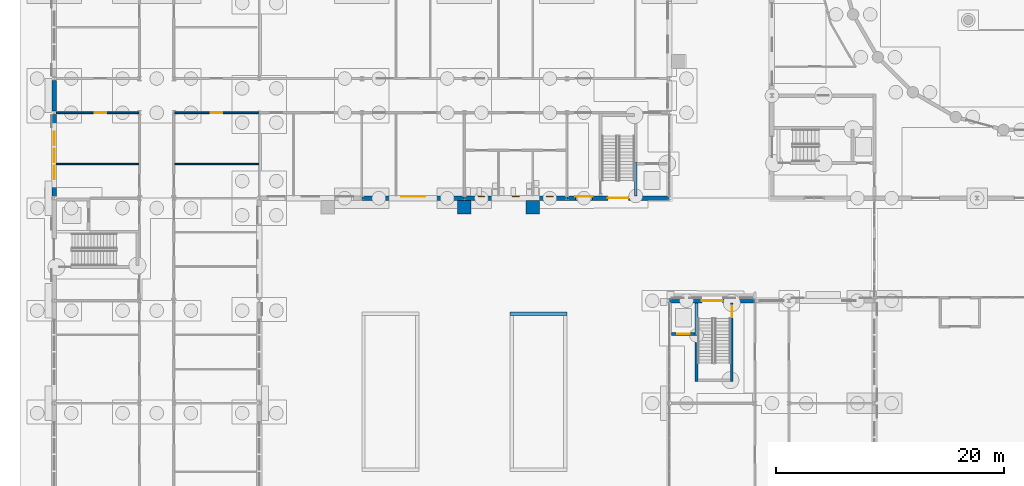
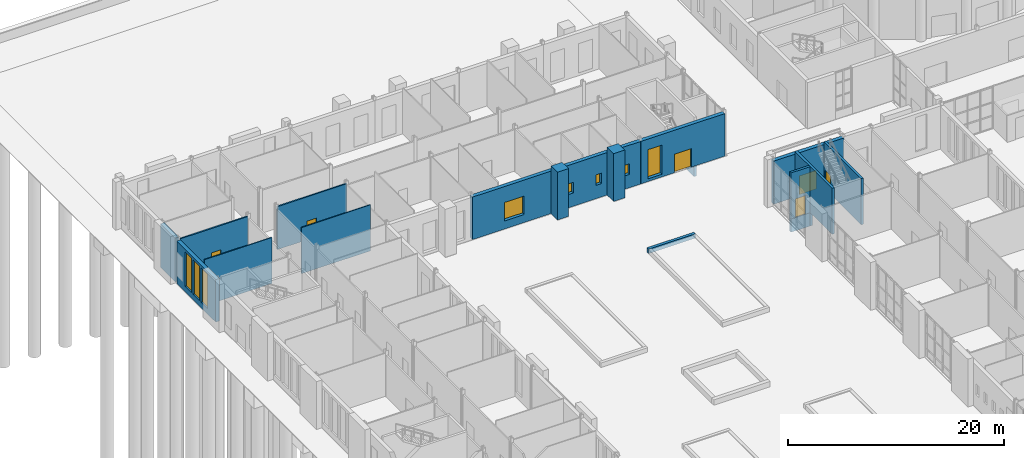
# One storey, part 93 of 168: 19 walls, 8 windows, 6 doors, 14 openings.
"""IFC4 building model written with IfcOpenShell, lengths in metres."""

from ifc_helpers import new_model, si_unit, direction, frame, frame_2d, origin, place, context, subcontext, project, spatial, rectangle, extrude, material, layer, layer_set, type_object, element, fill, save


model = new_model("IFC4")

# Units and contexts
model_context = context("Model", 3, precision=1e-05, world=origin(), true_north=direction((0.0, 1.0)))
body_context = subcontext(model_context, "Body", "Model", "MODEL_VIEW")
ifc_project = project(units=[si_unit("LENGTHUNIT", "METRE"), si_unit("AREAUNIT", "SQUARE_METRE"), si_unit("VOLUMEUNIT", "CUBIC_METRE"), si_unit("PLANEANGLEUNIT", "RADIAN"), si_unit("MASSUNIT", "GRAM", prefix="KILO")], contexts=[model_context])

# Site, building, storey
site_placement = place(None, origin())
site = spatial("IfcSite", under=ifc_project, at=site_placement, CompositionType="ELEMENT")
building_placement = place(site_placement, origin())
building = spatial("IfcBuilding", under=site, at=building_placement, Name="Golden Quay Civic Hall", CompositionType="ELEMENT")
storey_placement = place(building_placement, origin())
storey = spatial("IfcBuildingStorey", under=building, at=storey_placement, Name="L00", CompositionType="ELEMENT", Elevation=0.0)

# Wall, opening, window
ifc_material_1 = material(Name="Brick, dark clay facing", Category="masonry")
ifc_layer_1 = layer(ifc_material_1, 0.39990234375)
ifc_layer_set_1 = layer_set([ifc_layer_1], Name="Brick external wall 400")
wall_type_1 = type_object("IfcWallType", Name="Brick external wall 400", PredefinedType="STANDARD", material=ifc_layer_set_1)
wall_1_placement = place(storey_placement, frame((35.989501953125, 63.0, 0.0), z_axis=(0.0, 0.0, 1.0), x_axis=(-1.0, 0.0, 0.0)))
wall_1 = element("IfcWall", 1, at=wall_1_placement, inside=storey, type_object=wall_type_1, Name="Brick external wall 400 L00 9", PredefinedType="STANDARD", context=body_context, shape_type="SweptSolid", body=[
    extrude(rectangle(XDim=8.97900390625, YDim=0.39990234375, at=frame_2d((4.489501953125, 0.0))), origin(), (0.0, 0.0, 1.0), 4.800048828125),
])
opening_1_placement = place(wall_1_placement, frame((3.439453125, 0.0, 0.89990234375)))
opening_1 = element("IfcOpeningElement", 2, at=opening_1_placement, cuts=wall_1, Name="Opening WN2", PredefinedType="OPENING", context=body_context, shape_type="SweptSolid", body=[
    extrude(rectangle(XDim=2.10009765625, YDim=2.10009765625, at=frame_2d((1.050048828125, 1.050048828125))), frame((0.0, 0.2099609375, 0.0), z_axis=(0.0, -1.0, 0.0), x_axis=(1.0, 0.0, 0.0)), (0.0, 0.0, 1.0), 0.419921875),
])
ifc_material_2 = material(Name="Aluminium frame, double glazed", Category="aluminium")
window_type_1 = type_object("IfcWindowType", Name="Corridor end window 2100 x 2100", PartitioningType="SINGLE_PANEL", PredefinedType="WINDOW", material=ifc_material_2)
window_1_placement = place(opening_1_placement, origin())
window_1 = element("IfcWindow", 3, at=window_1_placement, inside=storey, type_object=window_type_1, Name="Corridor end window 2100 x 2100 L00 5", OverallHeight=2.10009765625, OverallWidth=2.10009765625, PartitioningType="SINGLE_PANEL", PredefinedType="WINDOW", context=body_context, shape_type="SweptSolid", body=[
    extrude(rectangle(XDim=2.10009765625, YDim=2.10009765625, at=frame_2d((1.050048828125, 1.050048828125))), frame((0.0, -0.119873046875, 0.0), z_axis=(0.0, -1.0, 0.0), x_axis=(1.0, 0.0, 0.0)), (0.0, 0.0, 1.0), 0.06005859375),
])
fill(opening_1, window_1)

# Wall, openings, windows
wall_2_placement = place(storey_placement, frame((44.989501953125, 63.0, 0.0), z_axis=(0.0, 0.0, 1.0), x_axis=(-1.0, 0.0, 0.0)))
wall_2 = element("IfcWall", 4, at=wall_2_placement, inside=storey, type_object=wall_type_1, Name="Brick external wall 400 L00 10", PredefinedType="STANDARD", context=body_context, shape_type="SweptSolid", body=[
    extrude(rectangle(XDim=8.97900390625, YDim=0.39990234375, at=frame_2d((4.489501953125, 0.0))), origin(), (0.0, 0.0, 1.0), 4.800048828125),
])
opening_2_placement = place(wall_2_placement, frame((7.189453125, 0.0, 1.5)))
opening_2 = element("IfcOpeningElement", 5, at=opening_2_placement, cuts=wall_2, Name="Opening WN1", PredefinedType="OPENING", context=body_context, shape_type="SweptSolid", body=[
    extrude(rectangle(XDim=0.60009765625, YDim=1.199951171875, at=frame_2d((0.300048828125, 0.60009765625))), frame((0.0, 0.2099609375, 0.0), z_axis=(0.0, -1.0, 0.0), x_axis=(1.0, 0.0, 0.0)), (0.0, 0.0, 1.0), 0.419921875),
])
opening_3_placement = place(wall_2_placement, frame((4.189453125, 0.0, 1.5)))
opening_3 = element("IfcOpeningElement", 6, at=opening_3_placement, cuts=wall_2, Name="Opening WN1", PredefinedType="OPENING", context=body_context, shape_type="SweptSolid", body=[
    extrude(rectangle(XDim=0.60009765625, YDim=1.199951171875, at=frame_2d((0.300048828125, 0.60009765625))), frame((0.0, 0.2099609375, 0.0), z_axis=(0.0, -1.0, 0.0), x_axis=(1.0, 0.0, 0.0)), (0.0, 0.0, 1.0), 0.419921875),
])
opening_4_placement = place(wall_2_placement, frame((1.189453125, 0.0, 1.5)))
opening_4 = element("IfcOpeningElement", 7, at=opening_4_placement, cuts=wall_2, Name="Opening WN1", PredefinedType="OPENING", context=body_context, shape_type="SweptSolid", body=[
    extrude(rectangle(XDim=0.60009765625, YDim=1.199951171875, at=frame_2d((0.300048828125, 0.60009765625))), frame((0.0, 0.2099609375, 0.0), z_axis=(0.0, -1.0, 0.0), x_axis=(1.0, 0.0, 0.0)), (0.0, 0.0, 1.0), 0.419921875),
])
ifc_material_3 = material(Name="Aluminium frame, double glazed", Category="aluminium")
window_type_2 = type_object("IfcWindowType", Name="WC window 600 x 1200", PartitioningType="SINGLE_PANEL", PredefinedType="WINDOW", material=ifc_material_3)
window_2_placement = place(opening_2_placement, origin())
window_2 = element("IfcWindow", 8, at=window_2_placement, inside=storey, type_object=window_type_2, Name="WC window 600 x 1200 L00 5", OverallHeight=1.199951171875, OverallWidth=0.60009765625, PartitioningType="SINGLE_PANEL", PredefinedType="WINDOW", context=body_context, shape_type="SweptSolid", body=[
    extrude(rectangle(XDim=0.60009765625, YDim=1.199951171875, at=frame_2d((0.300048828125, 0.60009765625))), frame((0.0, -0.119873046875, 0.0), z_axis=(0.0, -1.0, 0.0), x_axis=(1.0, 0.0, 0.0)), (0.0, 0.0, 1.0), 0.06005859375),
])
fill(opening_2, window_2)
window_3_placement = place(opening_3_placement, origin())
window_3 = element("IfcWindow", 9, at=window_3_placement, inside=storey, type_object=window_type_2, Name="WC window 600 x 1200 L00 6", OverallHeight=1.199951171875, OverallWidth=0.60009765625, PartitioningType="SINGLE_PANEL", PredefinedType="WINDOW", context=body_context, shape_type="SweptSolid", body=[
    extrude(rectangle(XDim=0.60009765625, YDim=1.199951171875, at=frame_2d((0.300048828125, 0.60009765625))), frame((0.0, -0.119873046875, 0.0), z_axis=(0.0, -1.0, 0.0), x_axis=(1.0, 0.0, 0.0)), (0.0, 0.0, 1.0), 0.06005859375),
])
fill(opening_3, window_3)
window_4_placement = place(opening_4_placement, origin())
window_4 = element("IfcWindow", 10, at=window_4_placement, inside=storey, type_object=window_type_2, Name="WC window 600 x 1200 L00 7", OverallHeight=1.199951171875, OverallWidth=0.60009765625, PartitioningType="SINGLE_PANEL", PredefinedType="WINDOW", context=body_context, shape_type="SweptSolid", body=[
    extrude(rectangle(XDim=0.60009765625, YDim=1.199951171875, at=frame_2d((0.300048828125, 0.60009765625))), frame((0.0, -0.119873046875, 0.0), z_axis=(0.0, -1.0, 0.0), x_axis=(1.0, 0.0, 0.0)), (0.0, 0.0, 1.0), 0.06005859375),
])
fill(opening_4, window_4)

# Wall, openings, door, window
ifc_material_4 = material(Name="Brick, dark clay facing", Category="masonry")
ifc_layer_2 = layer(ifc_material_4, 0.39990234375)
ifc_layer_set_2 = layer_set([ifc_layer_2], Name="Brick external wall 400 fire EI 60")
wall_type_2 = type_object("IfcWallType", Name="Brick external wall 400 fire EI 60", PredefinedType="STANDARD", material=ifc_layer_set_2)
wall_3_placement = place(storey_placement, frame((53.989501953125, 63.0, 0.0), z_axis=(0.0, 0.0, 1.0), x_axis=(-1.0, 0.0, 0.0)))
wall_3 = element("IfcWall", 11, at=wall_3_placement, inside=storey, type_object=wall_type_2, Name="Brick external wall 400 fire EI 60 L00 1", PredefinedType="STANDARD", context=body_context, shape_type="SweptSolid", body=[
    extrude(rectangle(XDim=8.97900390625, YDim=0.39990234375, at=frame_2d((4.489501953125, 0.0))), origin(), (0.0, 0.0, 1.0), 4.800048828125),
])
opening_5_placement = place(wall_3_placement, frame((3.589599609375, 0.0, 0.0)))
opening_5 = element("IfcOpeningElement", 12, at=opening_5_placement, cuts=wall_3, Name="Opening L00-D006", PredefinedType="OPENING", context=body_context, shape_type="SweptSolid", body=[
    extrude(rectangle(XDim=1.800048828125, YDim=2.10009765625, at=frame_2d((0.89990234375, 1.050048828125))), frame((0.0, 0.2099609375, 0.0), z_axis=(0.0, -1.0, 0.0), x_axis=(1.0, 0.0, 0.0)), (0.0, 0.0, 1.0), 0.419921875),
])
opening_6_placement = place(wall_3_placement, frame((6.739501953125, 0.0, 0.300048828125)))
opening_6 = element("IfcOpeningElement", 13, at=opening_6_placement, cuts=wall_3, Name="Opening WN4", PredefinedType="OPENING", context=body_context, shape_type="SweptSolid", body=[
    extrude(rectangle(XDim=1.5, YDim=3.300048828125, at=frame_2d((0.75, 1.64990234375))), frame((0.0, 0.2099609375, 0.0), z_axis=(0.0, -1.0, 0.0), x_axis=(1.0, 0.0, 0.0)), (0.0, 0.0, 1.0), 0.419921875),
])
ifc_material_5 = material(Name="Steel", Category="steel")
door_type_1 = type_object("IfcDoorType", Name="Steel double exit door FD60 1800 x 2100", OperationType="DOUBLE_DOOR_SINGLE_SWING", PredefinedType="DOOR", material=ifc_material_5)
door_1_placement = place(opening_5_placement, origin())
door_1 = element("IfcDoor", 14, at=door_1_placement, inside=storey, type_object=door_type_1, Name="Door L00-D006", OperationType="DOUBLE_DOOR_SINGLE_SWING", OverallHeight=2.10009765625, OverallWidth=1.800048828125, PredefinedType="DOOR", context=body_context, shape_type="SweptSolid", body=[
    extrude(rectangle(XDim=1.800048828125, YDim=2.10009765625, at=frame_2d((0.89990234375, 1.050048828125))), frame((0.0, 0.02490234375, 0.0), z_axis=(0.0, -1.0, 0.0), x_axis=(1.0, 0.0, 0.0)), (0.0, 0.0, 1.0), 0.050048828125),
])
fill(opening_5, door_1)
ifc_material_6 = material(Name="Aluminium frame, double glazed", Category="aluminium")
window_type_3 = type_object("IfcWindowType", Name="Tall ground-floor window 1500 x 3300", PartitioningType="SINGLE_PANEL", PredefinedType="WINDOW", material=ifc_material_6)
window_5_placement = place(opening_6_placement, origin())
window_5 = element("IfcWindow", 15, at=window_5_placement, inside=storey, type_object=window_type_3, Name="Tall ground-floor window 1500 x 3300 L00 18", OverallHeight=3.300048828125, OverallWidth=1.5, PartitioningType="SINGLE_PANEL", PredefinedType="WINDOW", context=body_context, shape_type="SweptSolid", body=[
    extrude(rectangle(XDim=1.5, YDim=3.300048828125, at=frame_2d((0.75, 1.64990234375))), frame((0.0, -0.119873046875, 0.0), z_axis=(0.0, -1.0, 0.0), x_axis=(1.0, 0.0, 0.0)), (0.0, 0.0, 1.0), 0.06005859375),
])
fill(opening_6, window_5)

# Walls
ifc_material_7 = material(Name="Brick, dark clay facing", Category="masonry")
ifc_layer_3 = layer(ifc_material_7, 1.199951171875)
ifc_layer_set_3 = layer_set([ifc_layer_3], Name="Brick pilaster 1200 x 1200")
wall_type_3 = type_object("IfcWallType", Name="Brick pilaster 1200 x 1200", PredefinedType="STANDARD", material=ifc_layer_set_3)
for number, where, z_axis, x_axis, name in (
    (16, (35.39990234375, 62.199951171875, 0.0), (0.0, 0.0, 1.0), (1.0, 0.0, 0.0), "Brick pilaster 1200 x 1200 L00 7"),
    (17, (41.39990234375, 62.199951171875, 0.0), (0.0, 0.0, 1.0), (1.0, 0.0, 0.0), "Brick pilaster 1200 x 1200 L00 8"),
):
    element("IfcWall", number, at=place(storey_placement, frame(where, z_axis=z_axis, x_axis=x_axis)), inside=storey, type_object=wall_type_3, Name=name, PredefinedType="STANDARD", context=body_context, shape_type="SweptSolid", body=[
        extrude(rectangle(XDim=1.2001953125, YDim=1.199951171875, at=frame_2d((0.60009765625, 0.0))), origin(), (0.0, 0.0, 1.0), 5.39990234375),
    ])
ifc_material_8 = material(Name="Brick, dark clay facing", Category="masonry")
ifc_layer_4 = layer(ifc_material_8, 0.300048828125)
ifc_layer_set_4 = layer_set([ifc_layer_4], Name="Brick planter wall 300")
wall_type_4 = type_object("IfcWallType", Name="Brick planter wall 300", PredefinedType="STANDARD", material=ifc_layer_set_4)
wall_4_placement = place(storey_placement, frame((40.0, 52.85009765625, 0.0), z_axis=(0.0, 0.0, 1.0), x_axis=(1.0, 0.0, 0.0)))
element("IfcWall", 18, at=wall_4_placement, inside=storey, type_object=wall_type_4, Name="Court planter West Court 4", PredefinedType="STANDARD", context=body_context, shape_type="SweptSolid", body=[
    extrude(rectangle(XDim=5.0, YDim=0.300048828125, at=frame_2d((2.5, 0.0))), origin(), (0.0, 0.0, 1.0), 0.5),
])
ifc_material_9 = material(Name="Concrete C40/50", Category="concrete")
ifc_layer_5 = layer(ifc_material_9, 0.25)
ifc_layer_set_5 = layer_set([ifc_layer_5], Name="Concrete core wall 250, Concrete C40/50")
wall_type_5 = type_object("IfcWallType", Name="Concrete core wall 250", PredefinedType="SHEAR", material=ifc_layer_set_5)
wall_5_placement = place(storey_placement, frame((51.050048828125, 63.199951171875, -1.5), z_axis=(0.0, 0.0, 1.0), x_axis=(0.0, 1.0, 0.0)))
element("IfcWall", 19, at=wall_5_placement, inside=storey, type_object=wall_type_5, Name="Lift pit wall P1", PredefinedType="SHEAR", context=body_context, shape_type="SweptSolid", body=[
    extrude(rectangle(XDim=2.949951171875, YDim=0.25, at=frame_2d((1.47509765625, 0.0))), origin(), (0.0, 0.0, 1.0), 1.5),
])
wall_6_placement = place(storey_placement, frame((56.375, 46.89990234375, 0.0), z_axis=(0.0, 0.0, 1.0), x_axis=(0.0, 1.0, 0.0)))
element("IfcWall", 20, at=wall_6_placement, inside=storey, type_object=wall_type_5, Name="Core wall WM-N-W1", PredefinedType="SHEAR", context=body_context, shape_type="SweptSolid", body=[
    extrude(rectangle(XDim=6.900146484375, YDim=0.25, at=frame_2d((3.4501953125, 0.0))), origin(), (0.0, 0.0, 1.0), 5.199951171875),
])

# Wall, opening, door
wall_7_placement = place(storey_placement, frame((59.47509765625, 46.89990234375, 0.0), z_axis=(0.0, 0.0, 1.0), x_axis=(0.0, 1.0, 0.0)))
wall_7 = element("IfcWall", 21, at=wall_7_placement, inside=storey, type_object=wall_type_5, Name="Core wall WM-N-W2", PredefinedType="SHEAR", context=body_context, shape_type="SweptSolid", body=[
    extrude(rectangle(XDim=6.900146484375, YDim=0.25, at=frame_2d((3.4501953125, 0.0))), origin(), (0.0, 0.0, 1.0), 5.199951171875),
])
opening_7_placement = place(wall_7_placement, frame((5.64990234375, 0.0, 0.0)))
opening_7 = element("IfcOpeningElement", 22, at=opening_7_placement, cuts=wall_7, Name="Opening L00-D123", PredefinedType="OPENING", context=body_context, shape_type="SweptSolid", body=[
    extrude(rectangle(XDim=1.0, YDim=2.10009765625, at=frame_2d((0.5, 1.050048828125))), frame((0.0, 0.135009765625, 0.0), z_axis=(0.0, -1.0, 0.0), x_axis=(1.0, 0.0, 0.0)), (0.0, 0.0, 1.0), 0.27001953125),
])
ifc_material_10 = material(Name="Steel", Category="steel")
door_type_2 = type_object("IfcDoorType", Name="Steel fire door FD60 1000 x 2100", OperationType="SINGLE_SWING_LEFT", PredefinedType="DOOR", material=ifc_material_10)
door_2_placement = place(opening_7_placement, origin())
door_2 = element("IfcDoor", 23, at=door_2_placement, inside=storey, type_object=door_type_2, Name="Door L00-D123", OperationType="SINGLE_SWING_LEFT", OverallHeight=2.10009765625, OverallWidth=1.0, PredefinedType="DOOR", context=body_context, shape_type="SweptSolid", body=[
    extrude(rectangle(XDim=1.0, YDim=2.10009765625, at=frame_2d((0.5, 1.050048828125))), frame((0.0, 0.02490234375, 0.0), z_axis=(0.0, -1.0, 0.0), x_axis=(1.0, 0.0, 0.0)), (0.0, 0.0, 1.0), 0.050048828125),
])
fill(opening_7, door_2)

wall_8_placement = place(storey_placement, frame((54.199951171875, 51.074951171875, 0.0), z_axis=(0.0, 0.0, 1.0), x_axis=(1.0, 0.0, 0.0)))
wall_8 = element("IfcWall", 24, at=wall_8_placement, inside=storey, type_object=wall_type_5, Name="Core wall WM-N-W4", PredefinedType="SHEAR", context=body_context, shape_type="SweptSolid", body=[
    extrude(rectangle(XDim=2.050048828125, YDim=0.25, at=frame_2d((1.02490234375, 0.0))), origin(), (0.0, 0.0, 1.0), 5.199951171875),
])
opening_8_placement = place(wall_8_placement, frame((0.47509765625, 0.0, 0.0)))
opening_8 = element("IfcOpeningElement", 25, at=opening_8_placement, cuts=wall_8, Name="Opening L00-D126", PredefinedType="OPENING", context=body_context, shape_type="SweptSolid", body=[
    extrude(rectangle(XDim=1.10009765625, YDim=2.10009765625, at=frame_2d((0.550048828125, 1.050048828125))), frame((0.0, 0.135009765625, 0.0), z_axis=(0.0, -1.0, 0.0), x_axis=(1.0, 0.0, 0.0)), (0.0, 0.0, 1.0), 0.27001953125),
])
ifc_material_11 = material(Name="Steel", Category="steel")
door_type_3 = type_object("IfcDoorType", Name="Lift landing door 1100 x 2100", OperationType="SLIDING_TO_LEFT", PredefinedType="DOOR", material=ifc_material_11)
door_3_placement = place(opening_8_placement, origin())
door_3 = element("IfcDoor", 26, at=door_3_placement, inside=storey, type_object=door_type_3, Name="Lift landing door L00-D126 WM-N", OperationType="SLIDING_TO_LEFT", OverallHeight=2.10009765625, OverallWidth=1.10009765625, PredefinedType="DOOR", context=body_context, shape_type="SweptSolid", body=[
    extrude(rectangle(XDim=1.10009765625, YDim=2.10009765625, at=frame_2d((0.550048828125, 1.050048828125))), frame((0.0, 0.02490234375, 0.0), z_axis=(0.0, -1.0, 0.0), x_axis=(1.0, 0.0, 0.0)), (0.0, 0.0, 1.0), 0.050048828125),
])
fill(opening_8, door_3)

# Walls
wall_9_placement = place(storey_placement, frame((56.375, 50.949951171875, -1.5), z_axis=(0.0, 0.0, 1.0), x_axis=(0.0, 1.0, 0.0)))
element("IfcWall", 27, at=wall_9_placement, inside=storey, type_object=wall_type_5, Name="Lift pit wall P1", PredefinedType="SHEAR", context=body_context, shape_type="SweptSolid", body=[
    extrude(rectangle(XDim=2.85009765625, YDim=0.25, at=frame_2d((1.425048828125, 0.0))), origin(), (0.0, 0.0, 1.0), 1.5),
])
wall_10_placement = place(storey_placement, frame((54.199951171875, 51.074951171875, -1.5), z_axis=(0.0, 0.0, 1.0), x_axis=(1.0, 0.0, 0.0)))
element("IfcWall", 28, at=wall_10_placement, inside=storey, type_object=wall_type_5, Name="Lift pit wall P2", PredefinedType="SHEAR", context=body_context, shape_type="SweptSolid", body=[
    extrude(rectangle(XDim=2.050048828125, YDim=0.25, at=frame_2d((1.02490234375, 0.0))), origin(), (0.0, 0.0, 1.0), 1.5),
])
ifc_material_12 = material(Name="Plasterboard on steel studs", Category="steel")
ifc_layer_6 = layer(ifc_material_12, 0.10009765625)
ifc_layer_set_6 = layer_set([ifc_layer_6], Name="Partition 100 stud")
wall_type_6 = type_object("IfcWallType", Name="Partition 100 stud", PredefinedType="PARTITIONING", material=ifc_layer_set_6)
wall_11_placement = place(storey_placement, frame((0.199951171875, 66.0, 0.0), z_axis=(0.0, 0.0, 1.0), x_axis=(1.0, 0.0, 0.0)))
element("IfcWall", 29, at=wall_11_placement, inside=storey, type_object=wall_type_6, Name="Partition L00-037", PredefinedType="PARTITIONING", context=body_context, shape_type="SweptSolid", body=[
    extrude(rectangle(XDim=7.22509765625, YDim=0.10009765625, at=frame_2d((3.612548828125, 0.0))), origin(), (0.0, 0.0, 1.0), 5.199951171875),
])
wall_12_placement = place(storey_placement, frame((10.574951171875, 66.0, 0.0), z_axis=(0.0, 0.0, 1.0), x_axis=(1.0, 0.0, 0.0)))
element("IfcWall", 30, at=wall_12_placement, inside=storey, type_object=wall_type_6, Name="Partition L00-038", PredefinedType="PARTITIONING", context=body_context, shape_type="SweptSolid", body=[
    extrude(rectangle(XDim=7.375, YDim=0.10009765625, at=frame_2d((3.6875, 0.0))), origin(), (0.0, 0.0, 1.0), 5.199951171875),
])

# Wall, opening, door
ifc_material_13 = material(Name="Plasterboard on steel studs", Category="steel")
ifc_layer_7 = layer(ifc_material_13, 0.14990234375)
ifc_layer_set_7 = layer_set([ifc_layer_7], Name="Partition 150 stud fire EI 60")
wall_type_7 = type_object("IfcWallType", Name="Partition 150 stud fire EI 60", PredefinedType="PARTITIONING", material=ifc_layer_set_7)
wall_13_placement = place(storey_placement, frame((0.199951171875, 70.5, 0.0), z_axis=(0.0, 0.0, 1.0), x_axis=(1.0, 0.0, 0.0)))
wall_13 = element("IfcWall", 31, at=wall_13_placement, inside=storey, type_object=wall_type_7, Name="Partition L00-030", PredefinedType="PARTITIONING", context=body_context, shape_type="SweptSolid", body=[
    extrude(rectangle(XDim=7.22509765625, YDim=0.14990234375, at=frame_2d((3.612548828125, 0.0))), origin(), (0.0, 0.0, 1.0), 4.85009765625),
])
opening_9_placement = place(wall_13_placement, frame((3.35009765625, 0.0, 0.0)))
opening_9 = element("IfcOpeningElement", 32, at=opening_9_placement, cuts=wall_13, Name="Opening L00-D082", PredefinedType="OPENING", context=body_context, shape_type="SweptSolid", body=[
    extrude(rectangle(XDim=1.0, YDim=2.10009765625, at=frame_2d((0.5, 1.050048828125))), frame((0.0, 0.0849609375, 0.0), z_axis=(0.0, -1.0, 0.0), x_axis=(1.0, 0.0, 0.0)), (0.0, 0.0, 1.0), 0.169921875),
])
ifc_material_14 = material(Name="Steel", Category="steel")
door_type_4 = type_object("IfcDoorType", Name="Steel fire door FD30S 1000 x 2100", OperationType="SINGLE_SWING_LEFT", PredefinedType="DOOR", material=ifc_material_14)
door_4_placement = place(opening_9_placement, frame((1.0, 0.0, 0.0), z_axis=(0.0, 0.0, 1.0), x_axis=(-1.0, 0.0, 0.0)))
door_4 = element("IfcDoor", 33, at=door_4_placement, inside=storey, type_object=door_type_4, Name="Door L00-D082", OperationType="SINGLE_SWING_RIGHT", OverallHeight=2.10009765625, OverallWidth=1.0, PredefinedType="DOOR", context=body_context, shape_type="SweptSolid", body=[
    extrude(rectangle(XDim=1.0, YDim=2.10009765625, at=frame_2d((0.5, 1.050048828125))), frame((0.0, 0.025146484375, 0.0), z_axis=(0.0, -1.0, 0.0), x_axis=(1.0, 0.0, 0.0)), (0.0, 0.0, 1.0), 0.050048828125),
])
fill(opening_9, door_4)

wall_14_placement = place(storey_placement, frame((10.574951171875, 70.5, 0.0), z_axis=(0.0, 0.0, 1.0), x_axis=(1.0, 0.0, 0.0)))
wall_14 = element("IfcWall", 34, at=wall_14_placement, inside=storey, type_object=wall_type_7, Name="Partition L00-032", PredefinedType="PARTITIONING", context=body_context, shape_type="SweptSolid", body=[
    extrude(rectangle(XDim=7.425048828125, YDim=0.14990234375, at=frame_2d((3.71240234375, 0.0))), origin(), (0.0, 0.0, 1.0), 4.85009765625),
])
opening_10_placement = place(wall_14_placement, frame((3.175048828125, 0.0, 0.0)))
opening_10 = element("IfcOpeningElement", 35, at=opening_10_placement, cuts=wall_14, Name="Opening L00-D084", PredefinedType="OPENING", context=body_context, shape_type="SweptSolid", body=[
    extrude(rectangle(XDim=1.0, YDim=2.10009765625, at=frame_2d((0.5, 1.050048828125))), frame((0.0, 0.0849609375, 0.0), z_axis=(0.0, -1.0, 0.0), x_axis=(1.0, 0.0, 0.0)), (0.0, 0.0, 1.0), 0.169921875),
])
door_5_placement = place(opening_10_placement, frame((1.0, 0.0, 0.0), z_axis=(0.0, 0.0, 1.0), x_axis=(-1.0, 0.0, 0.0)))
door_5 = element("IfcDoor", 36, at=door_5_placement, inside=storey, type_object=door_type_4, Name="Door L00-D084", OperationType="SINGLE_SWING_RIGHT", OverallHeight=2.10009765625, OverallWidth=1.0, PredefinedType="DOOR", context=body_context, shape_type="SweptSolid", body=[
    extrude(rectangle(XDim=1.0, YDim=2.10009765625, at=frame_2d((0.5, 1.050048828125))), frame((0.0, 0.025146484375, 0.0), z_axis=(0.0, -1.0, 0.0), x_axis=(1.0, 0.0, 0.0)), (0.0, 0.0, 1.0), 0.050048828125),
])
fill(opening_10, door_5)

# Wall, openings, windows
ifc_material_15 = material(Name="Clay block, rendered, cream")
ifc_layer_8 = layer(ifc_material_15, 0.39990234375)
ifc_layer_set_8 = layer_set([ifc_layer_8], Name="Rendered block external wall 400")
wall_type_8 = type_object("IfcWallType", Name="Rendered block external wall 400", PredefinedType="STANDARD", material=ifc_layer_set_8)
wall_15_placement = place(storey_placement, frame((0.0, 63.14990234375, 0.0), z_axis=(0.0, 0.0, 1.0), x_axis=(0.0, 1.0, 0.0)))
wall_15 = element("IfcWall", 37, at=wall_15_placement, inside=storey, type_object=wall_type_8, Name="Rendered block external wall 400 L00 6", PredefinedType="STANDARD", context=body_context, shape_type="SweptSolid", body=[
    extrude(rectangle(XDim=7.2001953125, YDim=0.39990234375, at=frame_2d((3.60009765625, 0.0))), origin(), (0.0, 0.0, 1.0), 4.800048828125),
])
opening_11_placement = place(wall_15_placement, frame((1.5, 0.0, 0.60009765625)))
opening_11 = element("IfcOpeningElement", 38, at=opening_11_placement, cuts=wall_15, Name="Opening WN3", PredefinedType="OPENING", context=body_context, shape_type="SweptSolid", body=[
    extrude(rectangle(XDim=1.199951171875, YDim=3.89990234375, at=frame_2d((0.60009765625, 1.949951171875))), frame((0.0, 0.2099609375, 0.0), z_axis=(0.0, -1.0, 0.0), x_axis=(1.0, 0.0, 0.0)), (0.0, 0.0, 1.0), 0.419921875),
])
opening_12_placement = place(wall_15_placement, frame((3.0, 0.0, 0.60009765625)))
opening_12 = element("IfcOpeningElement", 39, at=opening_12_placement, cuts=wall_15, Name="Opening WN3", PredefinedType="OPENING", context=body_context, shape_type="SweptSolid", body=[
    extrude(rectangle(XDim=1.199951171875, YDim=3.89990234375, at=frame_2d((0.60009765625, 1.949951171875))), frame((0.0, 0.2099609375, 0.0), z_axis=(0.0, -1.0, 0.0), x_axis=(1.0, 0.0, 0.0)), (0.0, 0.0, 1.0), 0.419921875),
])
opening_13_placement = place(wall_15_placement, frame((4.5, 0.0, 0.60009765625)))
opening_13 = element("IfcOpeningElement", 40, at=opening_13_placement, cuts=wall_15, Name="Opening WN3", PredefinedType="OPENING", context=body_context, shape_type="SweptSolid", body=[
    extrude(rectangle(XDim=1.199951171875, YDim=3.89990234375, at=frame_2d((0.60009765625, 1.949951171875))), frame((0.0, 0.2099609375, 0.0), z_axis=(0.0, -1.0, 0.0), x_axis=(1.0, 0.0, 0.0)), (0.0, 0.0, 1.0), 0.419921875),
])
ifc_material_16 = material(Name="Aluminium frame, double glazed", Category="aluminium")
window_type_4 = type_object("IfcWindowType", Name="Golden grid window 1200 x 3900", PartitioningType="SINGLE_PANEL", PredefinedType="WINDOW", material=ifc_material_16)
window_6_placement = place(opening_11_placement, origin())
window_6 = element("IfcWindow", 41, at=window_6_placement, inside=storey, type_object=window_type_4, Name="Golden grid window 1200 x 3900 L00 9", OverallHeight=3.89990234375, OverallWidth=1.199951171875, PartitioningType="SINGLE_PANEL", PredefinedType="WINDOW", context=body_context, shape_type="SweptSolid", body=[
    extrude(rectangle(XDim=1.199951171875, YDim=3.89990234375, at=frame_2d((0.60009765625, 1.949951171875))), frame((0.0, 0.030029296875, 0.0), z_axis=(0.0, -1.0, 0.0), x_axis=(1.0, 0.0, 0.0)), (0.0, 0.0, 1.0), 0.06005859375),
])
fill(opening_11, window_6)
window_7_placement = place(opening_12_placement, origin())
window_7 = element("IfcWindow", 42, at=window_7_placement, inside=storey, type_object=window_type_4, Name="Golden grid window 1200 x 3900 L00 10", OverallHeight=3.89990234375, OverallWidth=1.199951171875, PartitioningType="SINGLE_PANEL", PredefinedType="WINDOW", context=body_context, shape_type="SweptSolid", body=[
    extrude(rectangle(XDim=1.199951171875, YDim=3.89990234375, at=frame_2d((0.60009765625, 1.949951171875))), frame((0.0, 0.030029296875, 0.0), z_axis=(0.0, -1.0, 0.0), x_axis=(1.0, 0.0, 0.0)), (0.0, 0.0, 1.0), 0.06005859375),
])
fill(opening_12, window_7)
window_8_placement = place(opening_13_placement, origin())
window_8 = element("IfcWindow", 43, at=window_8_placement, inside=storey, type_object=window_type_4, Name="Golden grid window 1200 x 3900 L00 11", OverallHeight=3.89990234375, OverallWidth=1.199951171875, PartitioningType="SINGLE_PANEL", PredefinedType="WINDOW", context=body_context, shape_type="SweptSolid", body=[
    extrude(rectangle(XDim=1.199951171875, YDim=3.89990234375, at=frame_2d((0.60009765625, 1.949951171875))), frame((0.0, 0.030029296875, 0.0), z_axis=(0.0, -1.0, 0.0), x_axis=(1.0, 0.0, 0.0)), (0.0, 0.0, 1.0), 0.06005859375),
])
fill(opening_13, window_8)

# Wall
wall_16_placement = place(storey_placement, frame((0.0, 70.64990234375, 0.0), z_axis=(0.0, 0.0, 1.0), x_axis=(0.0, 1.0, 0.0)))
element("IfcWall", 44, at=wall_16_placement, inside=storey, type_object=wall_type_8, Name="Rendered block external wall 400 L00 7", PredefinedType="STANDARD", context=body_context, shape_type="SweptSolid", body=[
    extrude(rectangle(XDim=2.7001953125, YDim=0.39990234375, at=frame_2d((1.35009765625, 0.0))), origin(), (0.0, 0.0, 1.0), 4.929931640625),
])

# Wall, opening, door
ifc_material_17 = material(Name="Clay block, rendered, cream")
ifc_layer_9 = layer(ifc_material_17, 0.39990234375)
ifc_layer_set_9 = layer_set([ifc_layer_9], Name="Rendered block external wall 400 fire EI 60")
wall_type_9 = type_object("IfcWallType", Name="Rendered block external wall 400 fire EI 60", PredefinedType="STANDARD", material=ifc_layer_set_9)
wall_17_placement = place(storey_placement, frame((54.00927734375, 54.0, 0.0), z_axis=(0.0, 0.0, 1.0), x_axis=(1.0, 0.0, 0.0)))
wall_17 = element("IfcWall", 45, at=wall_17_placement, inside=storey, type_object=wall_type_9, Name="Rendered block external wall 400 fire EI 60 L00 4", PredefinedType="STANDARD", context=body_context, shape_type="SweptSolid", body=[
    extrude(rectangle(XDim=7.4814453125, YDim=0.39990234375, at=frame_2d((3.74072265625, 0.0))), origin(), (0.0, 0.0, 1.0), 4.8701171875),
])
opening_14_placement = place(wall_17_placement, frame((2.8408203125, 0.0, 0.0)))
opening_14 = element("IfcOpeningElement", 46, at=opening_14_placement, cuts=wall_17, Name="Opening L00-D007", PredefinedType="OPENING", context=body_context, shape_type="SweptSolid", body=[
    extrude(rectangle(XDim=1.800048828125, YDim=2.10009765625, at=frame_2d((0.89990234375, 1.050048828125))), frame((0.0, 0.2099609375, 0.0), z_axis=(0.0, -1.0, 0.0), x_axis=(1.0, 0.0, 0.0)), (0.0, 0.0, 1.0), 0.419921875),
])
door_6_placement = place(opening_14_placement, origin())
door_6 = element("IfcDoor", 47, at=door_6_placement, inside=storey, type_object=door_type_1, Name="Door L00-D007", OperationType="DOUBLE_DOOR_SINGLE_SWING", OverallHeight=2.10009765625, OverallWidth=1.800048828125, PredefinedType="DOOR", context=body_context, shape_type="SweptSolid", body=[
    extrude(rectangle(XDim=1.800048828125, YDim=2.10009765625, at=frame_2d((0.89990234375, 1.050048828125))), frame((0.0, 0.02490234375, 0.0), z_axis=(0.0, -1.0, 0.0), x_axis=(1.0, 0.0, 0.0)), (0.0, 0.0, 1.0), 0.050048828125),
])
fill(opening_14, door_6)

save(model, "model.ifc")
